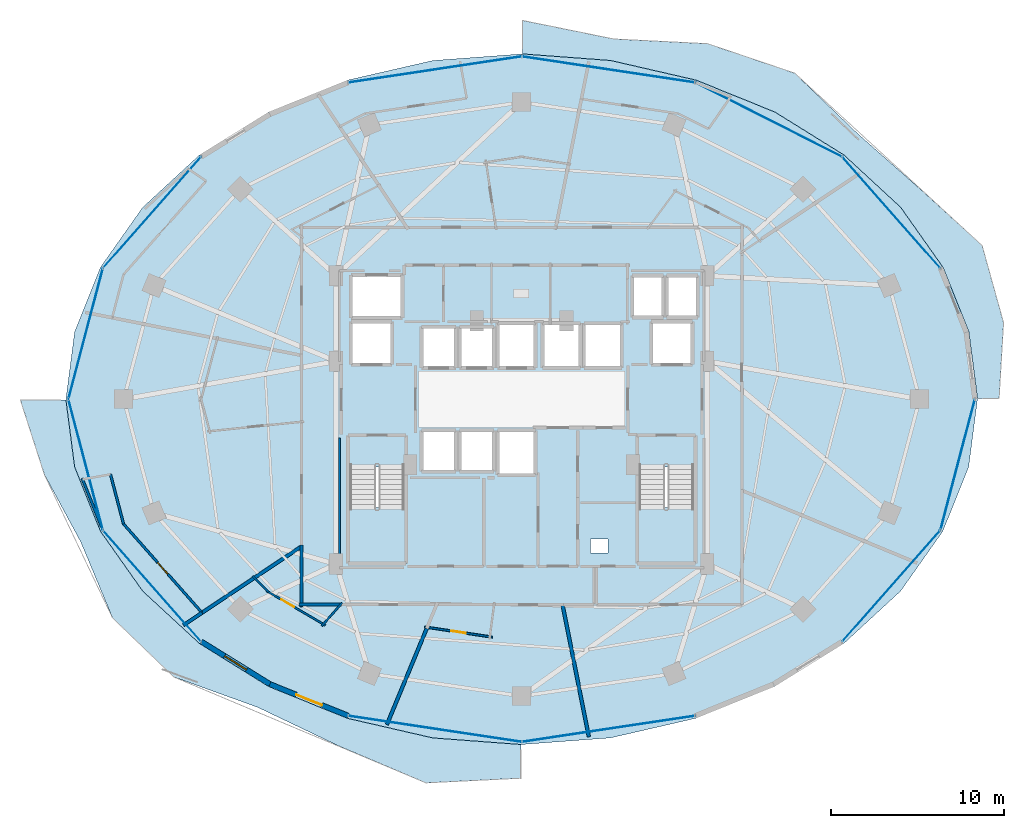
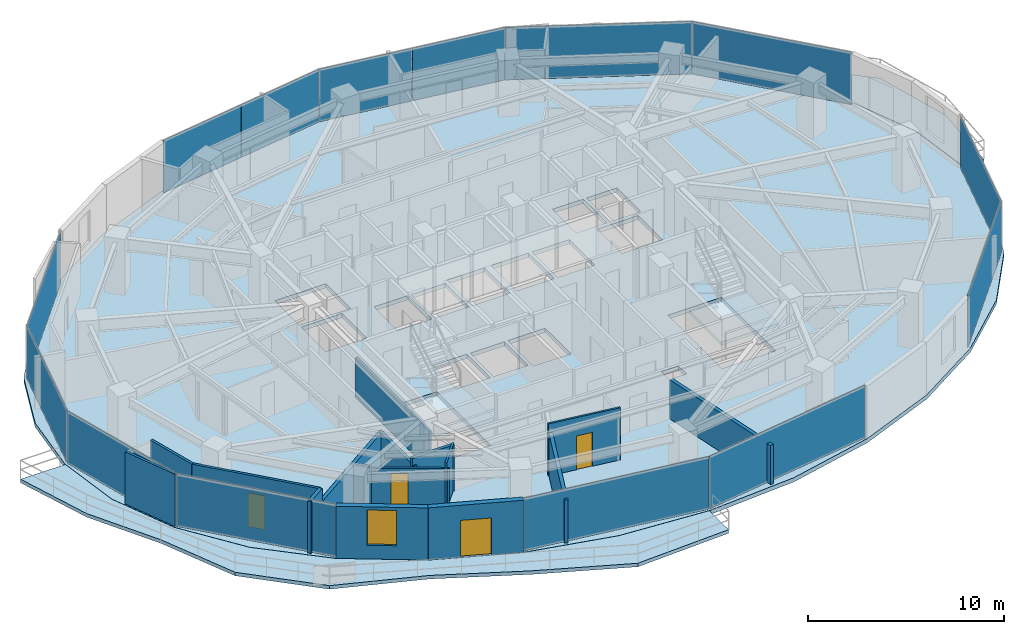
# One storey, part 22 of 30: 16 walls, 14 plates, 5 slabs, 4 doors, 1 window, 5 openings, 6 elements without a shape of their own.
"""IFC4 building model written with IfcOpenShell, lengths in metres."""

from ifc_helpers import new_model, si_unit, direction, frame, frame_2d, origin, origin_2d, place, context, subcontext, project, spatial, polyline, rectangle, outline, extrude, material, layer, layer_set, type_object, element, fill, aggregate, save


model = new_model("IFC4")

# Units and contexts
model_context = context("Model", 3, precision=1e-05, world=origin(), true_north=direction((0.0, 1.0)))
body_context = subcontext(model_context, "Body", "Model", "MODEL_VIEW")
ifc_project = project(units=[si_unit("LENGTHUNIT", "METRE"), si_unit("AREAUNIT", "SQUARE_METRE"), si_unit("VOLUMEUNIT", "CUBIC_METRE"), si_unit("PLANEANGLEUNIT", "RADIAN"), si_unit("MASSUNIT", "GRAM", prefix="KILO")], contexts=[model_context])

# Site, building, storey
site_placement = place(None, origin())
site = spatial("IfcSite", under=ifc_project, at=site_placement, CompositionType="ELEMENT")
building_placement = place(site_placement, origin())
building = spatial("IfcBuilding", under=site, at=building_placement, Name="Vorneva Point Tower", CompositionType="ELEMENT")
storey_placement = place(building_placement, frame((0.0, 0.0, 78.800048828125)))
storey = spatial("IfcBuildingStorey", under=building, at=storey_placement, Name="L20", CompositionType="ELEMENT", Elevation=78.800048828125)

# Curtain wall, plates
ifc_material_1 = material(Name="Pale anodised aluminium", Category="aluminium")
curtain_wall_type = type_object("IfcCurtainWallType", Name="CW-HTL-SYS", PredefinedType="NOTDEFINED", material=ifc_material_1)
curtain_wall_1_placement = place(storey_placement, origin())
curtain_wall_1 = element("IfcCurtainWall", 1, at=curtain_wall_1_placement, inside=storey, type_object=curtain_wall_type, Name="L20 Unitised Curtain Wall CW-L20-R01", PredefinedType="NOTDEFINED")
ifc_material_2 = material(Name="Double low-e laminated glass IGU", Category="glass")
ifc_layer_1 = layer(ifc_material_2, 0.035888671875)
ifc_layer_set_1 = layer_set([ifc_layer_1], Name="Double low-e laminated glass IGU")
plate_type = type_object("IfcPlateType", Name="CW-PNL-VIS", PredefinedType="CURTAIN_PANEL", material=ifc_layer_set_1)
plate_1_placement = place(storey_placement, frame((59.40673828125, 36.816162109375, -0.02001953125), z_axis=(0.0, 0.0, 1.0), x_axis=(-0.662149334693, 0.749371909379, 0.0)))
plate_1 = element("IfcPlate", 2, at=plate_1_placement, type_object=plate_type, Name="CW-L20-R01 Glazed Panel 01", PredefinedType="CURTAIN_PANEL", context=body_context, shape_type="SweptSolid", body=[
    extrude(rectangle(XDim=8.543701171875, YDim=0.035888671875, at=origin_2d()), origin(), (0.0, 0.0, 1.0), 3.280029296875),
])
plate_2_placement = place(storey_placement, frame((52.303466796875, 42.1875, -0.02001953125), z_axis=(0.0, 0.0, 1.0), x_axis=(-0.892538597772, 0.450971009585, 0.0)))
plate_2 = element("IfcPlate", 3, at=plate_2_placement, type_object=plate_type, Name="CW-L20-R01 Glazed Panel 02", PredefinedType="CURTAIN_PANEL", context=body_context, shape_type="SweptSolid", body=[
    extrude(rectangle(XDim=9.491455078125, YDim=0.035888671875, at=origin_2d()), origin(), (0.0, 0.0, 1.0), 3.280029296875),
])
plate_3_placement = place(storey_placement, frame((45.5341796875, 44.716796875, -0.02001953125), z_axis=(0.0, 0.0, 1.0), x_axis=(-0.988876117041, 0.148741470836, 0.0)))
plate_3 = element("IfcPlate", 4, at=plate_3_placement, type_object=plate_type, Name="CW-L20-R01 Glazed Panel 03A", PredefinedType="CURTAIN_PANEL", context=body_context, shape_type="SweptSolid", body=[
    extrude(rectangle(XDim=5.029296875, YDim=0.035888671875, at=origin_2d()), origin(), (0.0, 0.0, 1.0), 3.280029296875),
])
plate_4_placement = place(storey_placement, frame((40.511474609375, 45.472412109375, -0.02001953125), z_axis=(0.0, 0.0, 1.0), x_axis=(-0.988876117041, 0.148741470836, 0.0)))
plate_4 = element("IfcPlate", 5, at=plate_4_placement, type_object=plate_type, Name="CW-L20-R01 Glazed Panel 03B", PredefinedType="CURTAIN_PANEL", context=body_context, shape_type="SweptSolid", body=[
    extrude(rectangle(XDim=5.029296875, YDim=0.035888671875, at=origin_2d()), origin(), (0.0, 0.0, 1.0), 3.280029296875),
])
plate_5_placement = place(storey_placement, frame((35.488525390625, 45.472412109375, -0.02001953125), z_axis=(0.0, 0.0, 1.0), x_axis=(-0.988876117041, -0.148741470836, 0.0)))
plate_5 = element("IfcPlate", 6, at=plate_5_placement, type_object=plate_type, Name="CW-L20-R01 Glazed Panel 04A", PredefinedType="CURTAIN_PANEL", context=body_context, shape_type="SweptSolid", body=[
    extrude(rectangle(XDim=5.029296875, YDim=0.035888671875, at=origin_2d()), origin(), (0.0, 0.0, 1.0), 3.280029296875),
])
plate_6_placement = place(storey_placement, frame((30.4658203125, 44.716796875, -0.02001953125), z_axis=(0.0, 0.0, 1.0), x_axis=(-0.988876117041, -0.148741470836, 0.0)))
plate_6 = element("IfcPlate", 7, at=plate_6_placement, type_object=plate_type, Name="CW-L20-R01 Glazed Panel 04B", PredefinedType="CURTAIN_PANEL", context=body_context, shape_type="SweptSolid", body=[
    extrude(rectangle(XDim=5.029296875, YDim=0.035888671875, at=origin_2d()), origin(), (0.0, 0.0, 1.0), 3.280029296875),
])
aggregate(curtain_wall_1, [plate_1, plate_2, plate_3, plate_4, plate_5, plate_6])

curtain_wall_2_placement = place(storey_placement, origin())
curtain_wall_2 = element("IfcCurtainWall", 8, at=curtain_wall_2_placement, inside=storey, type_object=curtain_wall_type, Name="L20 Unitised Curtain Wall CW-L20-R02", PredefinedType="NOTDEFINED")
plate_7_placement = place(storey_placement, frame((16.59326171875, 36.816162109375, -0.02001953125), z_axis=(0.0, 0.0, 1.0), x_axis=(-0.662149334693, -0.749371909379, 0.0)))
plate_7 = element("IfcPlate", 9, at=plate_7_placement, type_object=plate_type, Name="CW-L20-R02 Glazed Panel 01", PredefinedType="CURTAIN_PANEL", context=body_context, shape_type="SweptSolid", body=[
    extrude(rectangle(XDim=8.543701171875, YDim=0.035888671875, at=origin_2d()), origin(), (0.0, 0.0, 1.0), 3.280029296875),
])
plate_8_placement = place(storey_placement, frame((12.7490234375, 29.798095703125, -0.02001953125), z_axis=(0.0, 0.0, 1.0), x_axis=(-0.254399404995, -0.967099241411, 0.0)))
plate_8 = element("IfcPlate", 10, at=plate_8_placement, type_object=plate_type, Name="CW-L20-R02 Glazed Panel 02", PredefinedType="CURTAIN_PANEL", context=body_context, shape_type="SweptSolid", body=[
    extrude(rectangle(XDim=7.8046875, YDim=0.035888671875, at=origin_2d()), origin(), (0.0, 0.0, 1.0), 3.280029296875),
])
plate_9_placement = place(storey_placement, frame((12.7490234375, 22.201904296875, -0.02001953125), z_axis=(0.0, 0.0, 1.0), x_axis=(0.254399404995, -0.967099241411, 0.0)))
plate_9 = element("IfcPlate", 11, at=plate_9_placement, type_object=plate_type, Name="CW-L20-R02 Glazed Panel 03", PredefinedType="CURTAIN_PANEL", context=body_context, shape_type="SweptSolid", body=[
    extrude(rectangle(XDim=7.8046875, YDim=0.035888671875, at=origin_2d()), origin(), (0.0, 0.0, 1.0), 3.280029296875),
])
plate_10_placement = place(storey_placement, frame((16.59326171875, 15.183837890625, -0.02001953125), z_axis=(0.0, 0.0, 1.0), x_axis=(0.662149334693, -0.749371909379, 0.0)))
plate_10 = element("IfcPlate", 12, at=plate_10_placement, type_object=plate_type, Name="CW-L20-R02 Glazed Panel 04", PredefinedType="CURTAIN_PANEL", context=body_context, shape_type="SweptSolid", body=[
    extrude(rectangle(XDim=8.543701171875, YDim=0.035888671875, at=origin_2d()), origin(), (0.0, 0.0, 1.0), 3.280029296875),
])
aggregate(curtain_wall_2, [plate_7, plate_8, plate_9, plate_10])

curtain_wall_3_placement = place(storey_placement, origin())
curtain_wall_3 = element("IfcCurtainWall", 13, at=curtain_wall_3_placement, inside=storey, type_object=curtain_wall_type, Name="L20 Unitised Curtain Wall CW-L20-R03", PredefinedType="NOTDEFINED")
plate_11_placement = place(storey_placement, frame((32.977294921875, 6.905517578125, -0.02001953125), z_axis=(0.0, 0.0, 1.0), x_axis=(0.988876117041, -0.148741470836, 0.0)))
plate_11 = element("IfcPlate", 14, at=plate_11_placement, type_object=plate_type, Name="CW-L20-R03 Glazed Panel 01", PredefinedType="CURTAIN_PANEL", context=body_context, shape_type="SweptSolid", body=[
    extrude(rectangle(XDim=10.1083984375, YDim=0.035888671875, at=origin_2d()), origin(), (0.0, 0.0, 1.0), 3.280029296875),
])
plate_12_placement = place(storey_placement, frame((43.022705078125, 6.905517578125, -0.02001953125), z_axis=(0.0, 0.0, 1.0), x_axis=(0.988876117041, 0.148741470836, 0.0)))
plate_12 = element("IfcPlate", 15, at=plate_12_placement, type_object=plate_type, Name="CW-L20-R03 Glazed Panel 02", PredefinedType="CURTAIN_PANEL", context=body_context, shape_type="SweptSolid", body=[
    extrude(rectangle(XDim=10.1083984375, YDim=0.035888671875, at=origin_2d()), origin(), (0.0, 0.0, 1.0), 3.280029296875),
])
aggregate(curtain_wall_3, [plate_11, plate_12])

curtain_wall_4_placement = place(storey_placement, origin())
curtain_wall_4 = element("IfcCurtainWall", 16, at=curtain_wall_4_placement, inside=storey, type_object=curtain_wall_type, Name="L20 Unitised Curtain Wall CW-L20-R04", PredefinedType="NOTDEFINED")
plate_13_placement = place(storey_placement, frame((59.40673828125, 15.183837890625, -0.02001953125), z_axis=(0.0, 0.0, 1.0), x_axis=(0.662149334693, 0.749371909379, 0.0)))
plate_13 = element("IfcPlate", 17, at=plate_13_placement, type_object=plate_type, Name="CW-L20-R04 Glazed Panel 01", PredefinedType="CURTAIN_PANEL", context=body_context, shape_type="SweptSolid", body=[
    extrude(rectangle(XDim=8.543701171875, YDim=0.035888671875, at=origin_2d()), origin(), (0.0, 0.0, 1.0), 3.280029296875),
])
plate_14_placement = place(storey_placement, frame((63.2509765625, 22.201904296875, -0.02001953125), z_axis=(0.0, 0.0, 1.0), x_axis=(0.254399404995, 0.967099241411, 0.0)))
plate_14 = element("IfcPlate", 18, at=plate_14_placement, type_object=plate_type, Name="CW-L20-R04 Glazed Panel 02", PredefinedType="CURTAIN_PANEL", context=body_context, shape_type="SweptSolid", body=[
    extrude(rectangle(XDim=7.8046875, YDim=0.035888671875, at=origin_2d()), origin(), (0.0, 0.0, 1.0), 3.280029296875),
])
aggregate(curtain_wall_4, [plate_13, plate_14])

# Slabs
ifc_material_3 = material(Name="Concrete B50 (C40/50)", Category="concrete")
ifc_layer_2 = layer(ifc_material_3, 0.219970703125)
ifc_layer_set_2 = layer_set([ifc_layer_2], Name="Concrete B50 (C40/50)")
slab_type_1 = type_object("IfcSlabType", Name="SLB-BAL-220", PredefinedType="FLOOR", material=ifc_layer_set_2)
slab_1_placement = place(storey_placement, frame((0.0, 0.0, -0.219970703125)))
element("IfcSlab", 19, at=slab_1_placement, inside=storey, type_object=slab_type_1, Name="L20 Cantilevered Wave Balcony NE", PredefinedType="FLOOR", context=body_context, shape_type="SweptSolid", body=[
    extrude(outline(polyline([(38.050048828125, 47.939697265625), (38.050048828125, 46.000244140625), (43.150634765625, 45.61962890625), (43.15087890625, 45.61962890625), (43.1513671875, 45.61962890625), (48.103759765625, 44.4814453125), (48.10400390625, 44.4814453125), (48.104248046875, 44.481201171875), (52.668701171875, 42.633056640625), (52.6689453125, 42.633056640625), (52.669189453125, 42.6328125), (56.669677734375, 40.1455078125), (56.669921875, 40.145263671875), (56.67041015625, 40.14501953125), (59.95361328125, 37.1142578125), (59.953857421875, 37.114013671875), (59.9541015625, 37.11376953125), (62.393798828125, 33.656005859375), (62.393798828125, 33.655517578125), (62.39404296875, 33.6552734375), (63.896484375, 29.9033203125), (63.896484375, 29.903076171875), (63.896484375, 29.902587890625), (63.896728515625, 29.90234375), (64.3974609375, 26.050048828125), (65.65283203125, 26.050048828125), (65.910888671875, 30.431640625), (64.668701171875, 34.8994140625), (61.12158203125, 38.14404296875), (57.546142578125, 41.302001953125), (53.810546875, 44.888427734375), (48.766845703125, 46.59375), (43.338623046875, 46.864990234375), (38.050048828125, 47.939697265625)])), origin(), (0.0, 0.0, 1.0), 0.219970703125),
])
slab_2_placement = place(storey_placement, frame((0.0, 0.0, -0.219970703125)))
element("IfcSlab", 20, at=slab_2_placement, inside=storey, type_object=slab_type_1, Name="L20 Cantilevered Wave Balcony SW", PredefinedType="FLOOR", context=body_context, shape_type="SweptSolid", body=[
    extrude(outline(polyline([(37.949951171875, 4.047607421875), (37.949951171875, 5.999755859375), (32.849365234375, 6.38037109375), (32.84912109375, 6.38037109375), (32.8486328125, 6.38037109375), (27.896240234375, 7.5185546875), (27.89599609375, 7.5185546875), (27.895751953125, 7.518798828125), (23.331298828125, 9.366943359375), (23.3310546875, 9.366943359375), (23.330810546875, 9.3671875), (19.330322265625, 11.8544921875), (19.330078125, 11.854736328125), (19.32958984375, 11.85498046875), (16.04638671875, 14.8857421875), (16.046142578125, 14.885986328125), (16.0458984375, 14.88623046875), (13.606201171875, 18.343994140625), (13.606201171875, 18.344482421875), (13.60595703125, 18.3447265625), (12.103515625, 22.0966796875), (12.103515625, 22.096923828125), (12.103515625, 22.097412109375), (12.103271484375, 22.09765625), (11.6025390625, 25.949951171875), (8.966064453125, 25.949951171875), (10.353271484375, 21.6376953125), (12.466064453125, 17.72119140625), (14.295166015625, 13.341552734375), (17.85595703125, 9.908935546875), (22.715087890625, 8.150146484375), (27.3935546875, 5.91748046875), (32.456787109375, 3.777099609375), (37.949951171875, 4.047607421875)])), origin(), (0.0, 0.0, 1.0), 0.219970703125),
])

# Stair, slab
stair_type = type_object("IfcStairType", Name="ST-DOG-1500", PredefinedType="HALF_TURN_STAIR", material=ifc_material_3)
stair_1_placement = place(storey_placement, origin())
stair_1 = element("IfcStair", 21, at=stair_1_placement, inside=storey, type_object=stair_type, Name="L20 ST1", PredefinedType="HALF_TURN_STAIR")
ifc_layer_3 = layer(ifc_material_3, 0.199951171875)
ifc_layer_set_3 = layer_set([ifc_layer_3], Name="Concrete B50 (C40/50)")
slab_type_2 = type_object("IfcSlabType", Name="SLB-LND-200", PredefinedType="LANDING", material=ifc_layer_set_3)
slab_3_placement = place(storey_placement, frame((0.0, 0.0, 1.550048828125)))
slab_3 = element("IfcSlab", 22, at=slab_3_placement, type_object=slab_type_2, Name="ST1 landing 1", PredefinedType="LANDING", context=body_context, shape_type="SweptSolid", body=[
    extrude(outline(polyline([(27.929931640625, 16.47998046875), (31.320068359375, 16.47998046875), (31.320068359375, 19.72998046875), (27.929931640625, 19.72998046875), (27.929931640625, 16.47998046875)])), origin(), (0.0, 0.0, 1.0), 0.199951171875),
])
aggregate(stair_1, [slab_3])

stair_2_placement = place(storey_placement, origin())
stair_2 = element("IfcStair", 23, at=stair_2_placement, inside=storey, type_object=stair_type, Name="L20 ST2", PredefinedType="HALF_TURN_STAIR")
slab_4_placement = place(storey_placement, frame((0.0, 0.0, 1.550048828125)))
slab_4 = element("IfcSlab", 24, at=slab_4_placement, type_object=slab_type_2, Name="ST2 landing 1", PredefinedType="LANDING", context=body_context, shape_type="SweptSolid", body=[
    extrude(outline(polyline([(44.679931640625, 16.47998046875), (48.070068359375, 16.47998046875), (48.070068359375, 19.72998046875), (44.679931640625, 19.72998046875), (44.679931640625, 16.47998046875)])), origin(), (0.0, 0.0, 1.0), 0.199951171875),
])
aggregate(stair_2, [slab_4])

# Slab
ifc_layer_4 = layer(ifc_material_3, 0.260009765625)
ifc_layer_set_4 = layer_set([ifc_layer_4], Name="Concrete B50 (C40/50)")
slab_type_3 = type_object("IfcSlabType", Name="SLB-TYP-260", PredefinedType="FLOOR", material=ifc_layer_set_4)
slab_5_placement = place(storey_placement, frame((0.0, 0.0, -0.260009765625)))
element("IfcSlab", 25, at=slab_5_placement, inside=storey, type_object=slab_type_3, Name="L20 Structural Floor Plate", PredefinedType="FLOOR", context=body_context, shape_type="SweptSolid", body=[
    extrude(outline(polyline([(64.39990234375, 26.0), (63.892578125, 29.90185546875), (62.390380859375, 33.65380859375), (59.95068359375, 37.111328125), (56.66748046875, 40.14208984375), (52.6669921875, 42.62939453125), (48.102783203125, 44.4775390625), (43.150390625, 45.61572265625), (38.0, 46.0), (32.849609375, 45.61572265625), (27.897216796875, 44.4775390625), (23.3330078125, 42.62939453125), (19.33251953125, 40.14208984375), (16.04931640625, 37.111328125), (13.609619140625, 33.65380859375), (12.107421875, 29.90185546875), (11.60009765625, 26.0), (12.107421875, 22.09814453125), (13.609619140625, 18.34619140625), (16.04931640625, 14.888671875), (19.33251953125, 11.85791015625), (23.3330078125, 9.37060546875), (27.897216796875, 7.5224609375), (32.849609375, 6.38427734375), (38.0, 6.0), (43.150390625, 6.38427734375), (48.102783203125, 7.5224609375), (52.6669921875, 9.37060546875), (56.66748046875, 11.85791015625), (59.95068359375, 14.888671875), (62.390380859375, 18.34619140625), (63.892578125, 22.09814453125), (64.39990234375, 26.0)]), holes=[polyline([(32.199951171875, 27.800048828125), (34.199951171875, 27.800048828125), (34.199951171875, 30.199951171875), (32.199951171875, 30.199951171875), (32.199951171875, 27.800048828125)]), polyline([(34.39990234375, 27.800048828125), (36.39990234375, 27.800048828125), (36.39990234375, 30.199951171875), (34.39990234375, 30.199951171875), (34.39990234375, 27.800048828125)]), polyline([(36.60009765625, 27.800048828125), (38.800048828125, 27.800048828125), (38.800048828125, 30.39990234375), (36.60009765625, 30.39990234375), (36.60009765625, 27.800048828125)]), polyline([(32.199951171875, 21.800048828125), (34.199951171875, 21.800048828125), (34.199951171875, 24.199951171875), (32.199951171875, 24.199951171875), (32.199951171875, 21.800048828125)]), polyline([(34.39990234375, 21.800048828125), (36.39990234375, 21.800048828125), (36.39990234375, 24.199951171875), (34.39990234375, 24.199951171875), (34.39990234375, 21.800048828125)]), polyline([(36.60009765625, 21.60009765625), (38.800048828125, 21.60009765625), (38.800048828125, 24.199951171875), (36.60009765625, 24.199951171875), (36.60009765625, 21.60009765625)]), polyline([(39.199951171875, 27.800048828125), (41.39990234375, 27.800048828125), (41.39990234375, 30.39990234375), (39.199951171875, 30.39990234375), (39.199951171875, 27.800048828125)]), polyline([(41.60009765625, 27.800048828125), (43.800048828125, 27.800048828125), (43.800048828125, 30.39990234375), (41.60009765625, 30.39990234375), (41.60009765625, 27.800048828125)]), polyline([(44.39990234375, 30.739990234375), (46.199951171875, 30.739990234375), (46.199951171875, 33.159912109375), (44.39990234375, 33.159912109375), (44.39990234375, 30.739990234375)]), polyline([(46.39990234375, 30.739990234375), (48.199951171875, 30.739990234375), (48.199951171875, 33.159912109375), (46.39990234375, 33.159912109375), (46.39990234375, 30.739990234375)]), polyline([(28.10009765625, 28.0), (30.5, 28.0), (30.5, 30.5), (28.10009765625, 30.5), (28.10009765625, 28.0)]), polyline([(45.5, 28.0), (47.89990234375, 28.0), (47.89990234375, 30.5), (45.5, 30.5), (45.5, 28.0)]), polyline([(28.10009765625, 30.699951171875), (31.10009765625, 30.699951171875), (31.10009765625, 33.199951171875), (28.10009765625, 33.199951171875), (28.10009765625, 30.699951171875)]), polyline([(28.050048828125, 16.60009765625), (31.199951171875, 16.60009765625), (31.199951171875, 22.080078125), (28.050048828125, 22.080078125), (28.050048828125, 16.60009765625)]), polyline([(44.800048828125, 16.60009765625), (47.949951171875, 16.60009765625), (47.949951171875, 22.080078125), (44.800048828125, 22.080078125), (44.800048828125, 16.60009765625)]), polyline([(42.0, 17.10009765625), (43.0, 17.10009765625), (43.0, 17.89990234375), (42.0, 17.89990234375), (42.0, 17.10009765625)])]), origin(), (0.0, 0.0, 1.0), 0.260009765625),
])

# Wall, opening, window
ifc_material_4 = material(Name="Precast concrete B50 (C40/50)", Category="concrete")
ifc_layer_5 = layer(ifc_material_4, 0.300048828125)
ifc_layer_set_5 = layer_set([ifc_layer_5], Name="Precast concrete B50 (C40/50)")
wall_type_1 = type_object("IfcWallType", Name="WL-EXT-300", PredefinedType="STANDARD", material=ifc_layer_set_5)
wall_1_placement = place(storey_placement, frame((19.4384765625, 11.9638671875, 0.0), z_axis=(0.0, 0.0, 1.0), x_axis=(0.849684479743, -0.527291461038, 0.0)))
wall_1 = element("IfcWall", 26, at=wall_1_placement, inside=storey, type_object=wall_type_1, Name="L20 Pale-Metal Facade Spandrel Wall 11.1", PredefinedType="STANDARD", context=body_context, shape_type="SweptSolid", body=[
    extrude(rectangle(XDim=4.681396484375, YDim=0.300048828125, at=frame_2d((2.3408203125, 0.0))), origin(), (0.0, 0.0, 1.0), 3.239990234375),
])
opening_1_placement = place(wall_1_placement, frame((1.5908203125, 0.0, 0.85009765625)))
opening_1 = element("IfcOpeningElement", 27, at=opening_1_placement, cuts=wall_1, Name="Opening W-02", PredefinedType="OPENING", context=body_context, shape_type="SweptSolid", body=[
    extrude(rectangle(XDim=1.5, YDim=2.18994140625, at=frame_2d((0.75, 1.094970703125))), frame((0.0, 0.1650390625, 0.0), z_axis=(0.0, -1.0, 0.0), x_axis=(1.0, 0.0, 0.0)), (0.0, 0.0, 1.0), 0.329833984375),
])
window_type = type_object("IfcWindowType", Name="WN-HTL-1500", PartitioningType="SINGLE_PANEL", PredefinedType="WINDOW", material=ifc_material_2)
window_placement = place(opening_1_placement, origin())
window = element("IfcWindow", 28, at=window_placement, inside=storey, type_object=window_type, Name="L20 Facade Window 11", OverallHeight=2.18994140625, OverallWidth=1.5, PartitioningType="SINGLE_PANEL", PredefinedType="WINDOW", context=body_context, shape_type="SweptSolid", body=[
    extrude(rectangle(XDim=1.5, YDim=2.18994140625, at=frame_2d((0.75, 1.094970703125))), frame((0.0, 0.030029296875, 0.0), z_axis=(0.0, -1.0, 0.0), x_axis=(1.0, 0.0, 0.0)), (0.0, 0.0, 1.0), 0.06005859375),
])
fill(opening_1, window)

# Wall, opening, door
wall_2_placement = place(storey_placement, frame((23.416259765625, 9.495361328125, 0.0), z_axis=(0.0, 0.0, 1.0), x_axis=(0.927122233109, -0.374759075775, 0.0)))
wall_2 = element("IfcWall", 29, at=wall_2_placement, inside=storey, type_object=wall_type_1, Name="L20 Pale-Metal Facade Spandrel Wall 11.2", PredefinedType="STANDARD", context=body_context, shape_type="SweptSolid", body=[
    extrude(rectangle(XDim=4.89501953125, YDim=0.300048828125, at=frame_2d((2.447509765625, 0.0))), origin(), (0.0, 0.0, 1.0), 3.239990234375),
])
opening_2_placement = place(wall_2_placement, frame((1.6474609375, 0.0, 0.0)))
opening_2 = element("IfcOpeningElement", 30, at=opening_2_placement, cuts=wall_2, Name="Opening BD-01", PredefinedType="OPENING", context=body_context, shape_type="SweptSolid", body=[
    extrude(rectangle(XDim=1.60009765625, YDim=2.300048828125, at=frame_2d((0.800048828125, 1.14990234375))), frame((0.0, 0.1650390625, 0.0), z_axis=(0.0, -1.0, 0.0), x_axis=(1.0, 0.0, 0.0)), (0.0, 0.0, 1.0), 0.329833984375),
])
door_type_1 = type_object("IfcDoorType", Name="DR-BAL-1600", OperationType="SLIDING_TO_LEFT", PredefinedType="DOOR", material=ifc_material_1)
door_1_placement = place(opening_2_placement, origin())
door_1 = element("IfcDoor", 31, at=door_1_placement, inside=storey, type_object=door_type_1, Name="L20 Balcony Terrace Access Door 11", OperationType="SLIDING_TO_LEFT", OverallHeight=2.300048828125, OverallWidth=1.60009765625, PredefinedType="DOOR", context=body_context, shape_type="SweptSolid", body=[
    extrude(rectangle(XDim=1.60009765625, YDim=2.300048828125, at=frame_2d((0.800048828125, 1.14990234375))), frame((0.0, 0.02490234375, 0.0), z_axis=(0.0, -1.0, 0.0), x_axis=(1.0, 0.0, 0.0)), (0.0, 0.0, 1.0), 0.050048828125),
])
fill(opening_2, door_1)

# Wall
ifc_material_5 = material(Name="Fire-rated acoustic gypsum stud partition", Category="gypsum")
ifc_layer_6 = layer(ifc_material_5, 0.110107421875)
ifc_layer_set_6 = layer_set([ifc_layer_6], Name="Fire-rated acoustic gypsum stud partition")
wall_type_2 = type_object("IfcWallType", Name="WL-PART-110", PredefinedType="PARTITIONING", material=ifc_layer_set_6)
wall_3_placement = place(storey_placement, frame((27.6015625, 14.205078125, 0.0), z_axis=(0.0, 0.0, 1.0), x_axis=(-0.661454172329, -0.749985585134, 0.0)))
element("IfcWall", 32, at=wall_3_placement, inside=storey, type_object=wall_type_2, Name="L20 Interior Partition 085", PredefinedType="PARTITIONING", context=body_context, shape_type="SweptSolid", body=[
    extrude(rectangle(XDim=1.7841796875, YDim=0.110107421875, at=frame_2d((0.89208984375, 0.0))), origin(), (0.0, 0.0, 1.0), 2.8740234375),
])

# Wall, opening, door
wall_4_placement = place(storey_placement, frame((26.634765625, 12.9013671875, 0.0), z_axis=(0.0, 0.0, 1.0), x_axis=(-0.863173900656, 0.504906741117, 0.0)))
wall_4 = element("IfcWall", 33, at=wall_4_placement, inside=storey, type_object=wall_type_2, Name="L20 Interior Partition 086", PredefinedType="PARTITIONING", context=body_context, shape_type="SweptSolid", body=[
    extrude(rectangle(XDim=3.955810546875, YDim=0.110107421875, at=frame_2d((1.97802734375, 0.0))), origin(), (0.0, 0.0, 1.0), 2.431884765625),
])
opening_3_placement = place(wall_4_placement, frame((2.11279296875, 0.0, 0.0)))
opening_3 = element("IfcOpeningElement", 34, at=opening_3_placement, cuts=wall_4, Name="Opening ID-02", PredefinedType="OPENING", context=body_context, shape_type="SweptSolid", body=[
    extrude(rectangle(XDim=0.85009765625, YDim=2.10009765625, at=frame_2d((0.425048828125, 1.050048828125))), frame((0.0, 0.06982421875, 0.0), z_axis=(0.0, -1.0, 0.0), x_axis=(1.0, 0.0, 0.0)), (0.0, 0.0, 1.0), 0.139892578125),
])
ifc_material_6 = material(Name="Engineered oak fire-rated door leaf", Category="wood")
door_type_2 = type_object("IfcDoorType", Name="DR-BATH-850", OperationType="NOTDEFINED", PredefinedType="DOOR", material=ifc_material_6)
door_2_placement = place(opening_3_placement, origin())
door_2 = element("IfcDoor", 35, at=door_2_placement, inside=storey, type_object=door_type_2, Name="L20 Door Deluxe Guest Room L20-05 / En-Suite Bathroom L20-05", OperationType="SINGLE_SWING_LEFT", OverallHeight=2.10009765625, OverallWidth=0.85009765625, PredefinedType="DOOR", context=body_context, shape_type="SweptSolid", body=[
    extrude(rectangle(XDim=0.85009765625, YDim=2.10009765625, at=frame_2d((0.425048828125, 1.050048828125))), frame((0.0, 0.02490234375, 0.0), z_axis=(0.0, -1.0, 0.0), x_axis=(1.0, 0.0, 0.0)), (0.0, 0.0, 1.0), 0.050048828125),
])
fill(opening_3, door_2)

# Wall
wall_5_placement = place(storey_placement, frame((23.337890625, 14.831298828125, 0.0), z_axis=(0.0, 0.0, 1.0), x_axis=(-0.709817225963, 0.70438590682, 0.0)))
element("IfcWall", 36, at=wall_5_placement, inside=storey, type_object=wall_type_2, Name="L20 Interior Partition 087", PredefinedType="PARTITIONING", context=body_context, shape_type="SweptSolid", body=[
    extrude(rectangle(XDim=1.303466796875, YDim=0.110107421875, at=frame_2d((0.65185546875, 0.0))), origin(), (0.0, 0.0, 1.0), 2.431884765625),
])

# Wall, opening, door
wall_6_placement = place(storey_placement, frame((36.290283203125, 12.22119140625, 0.0), z_axis=(0.0, 0.0, 1.0), x_axis=(-0.988883185792, 0.148694468147, 0.0)))
wall_6 = element("IfcWall", 37, at=wall_6_placement, inside=storey, type_object=wall_type_2, Name="L20 Interior Partition 091", PredefinedType="PARTITIONING", context=body_context, shape_type="SweptSolid", body=[
    extrude(rectangle(XDim=3.945556640625, YDim=0.110107421875, at=frame_2d((1.97265625, 0.0))), origin(), (0.0, 0.0, 1.0), 3.239990234375),
])
opening_4_placement = place(wall_6_placement, frame((1.5478515625, 0.0, 0.0)))
opening_4 = element("IfcOpeningElement", 38, at=opening_4_placement, cuts=wall_6, Name="Opening ID-02", PredefinedType="OPENING", context=body_context, shape_type="SweptSolid", body=[
    extrude(rectangle(XDim=0.85009765625, YDim=2.10009765625, at=frame_2d((0.425048828125, 1.050048828125))), frame((0.0, 0.06982421875, 0.0), z_axis=(0.0, -1.0, 0.0), x_axis=(1.0, 0.0, 0.0)), (0.0, 0.0, 1.0), 0.139892578125),
])
door_3_placement = place(opening_4_placement, origin())
door_3 = element("IfcDoor", 39, at=door_3_placement, inside=storey, type_object=door_type_2, Name="L20 Door Executive Suite L20-06 / En-Suite Bathroom L20-06", OperationType="SINGLE_SWING_RIGHT", OverallHeight=2.10009765625, OverallWidth=0.85009765625, PredefinedType="DOOR", context=body_context, shape_type="SweptSolid", body=[
    extrude(rectangle(XDim=0.85009765625, YDim=2.10009765625, at=frame_2d((0.425048828125, 1.050048828125))), frame((0.0, 0.02490234375, 0.0), z_axis=(0.0, -1.0, 0.0), x_axis=(1.0, 0.0, 0.0)), (0.0, 0.0, 1.0), 0.050048828125),
])
fill(opening_4, door_3)

# Walls
ifc_layer_7 = layer(ifc_material_5, 0.139892578125)
ifc_layer_set_7 = layer_set([ifc_layer_7], Name="Fire-rated acoustic gypsum stud partition")
wall_type_3 = type_object("IfcWallType", Name="WL-PART-140", PredefinedType="PARTITIONING", material=ifc_layer_set_7)
wall_7_placement = place(storey_placement, frame((12.5439453125, 21.410888671875, 0.0), z_axis=(0.0, 0.0, 1.0), x_axis=(0.371612636283, -0.928387876135, 0.0)))
element("IfcWall", 40, at=wall_7_placement, inside=storey, type_object=wall_type_3, Name="L20 Interior Partition 079", PredefinedType="PARTITIONING", context=body_context, shape_type="SweptSolid", body=[
    extrude(rectangle(XDim=3.223876953125, YDim=0.139892578125, at=frame_2d((1.61181640625, 0.0))), origin(), (0.0, 0.0, 1.0), 3.239990234375),
])
wall_8_placement = place(storey_placement, frame((14.18408203125, 21.64990234375, 0.0), z_axis=(0.0, 0.0, 1.0), x_axis=(0.254347718415, -0.9671128363, 0.0)))
element("IfcWall", 41, at=wall_8_placement, inside=storey, type_object=wall_type_3, Name="L20 Interior Partition 081", PredefinedType="PARTITIONING", context=body_context, shape_type="SweptSolid", body=[
    extrude(rectangle(XDim=2.9716796875, YDim=0.139892578125, at=frame_2d((1.48583984375, 0.0))), origin(), (0.0, 0.0, 1.0), 3.239990234375),
])

# Wall, opening, door
wall_9_placement = place(storey_placement, frame((14.93994140625, 18.77587890625, 0.0), z_axis=(0.0, 0.0, 1.0), x_axis=(0.662156478246, -0.749365597233, 0.0)))
wall_9 = element("IfcWall", 42, at=wall_9_placement, inside=storey, type_object=wall_type_3, Name="L20 Interior Partition 082", PredefinedType="PARTITIONING", context=body_context, shape_type="SweptSolid", body=[
    extrude(rectangle(XDim=6.8671875, YDim=0.139892578125, at=frame_2d((3.43359375, 0.0))), origin(), (0.0, 0.0, 1.0), 3.239990234375),
])
opening_5_placement = place(wall_9_placement, frame((2.9833984375, 0.0, 0.0)))
opening_5 = element("IfcOpeningElement", 43, at=opening_5_placement, cuts=wall_9, Name="Opening ID-01", PredefinedType="OPENING", context=body_context, shape_type="SweptSolid", body=[
    extrude(rectangle(XDim=0.89990234375, YDim=2.10009765625, at=frame_2d((0.449951171875, 1.050048828125))), frame((0.0, 0.0849609375, 0.0), z_axis=(0.0, -1.0, 0.0), x_axis=(1.0, 0.0, 0.0)), (0.0, 0.0, 1.0), 0.169677734375),
])
door_type_3 = type_object("IfcDoorType", Name="DR-ROOM-900", OperationType="NOTDEFINED", PredefinedType="DOOR", material=ifc_material_6)
door_4_placement = place(opening_5_placement, origin())
door_4 = element("IfcDoor", 44, at=door_4_placement, inside=storey, type_object=door_type_3, Name="L20 Door Corner Suite L20-04 / Suite Sitting Study L20-04", OperationType="SINGLE_SWING_RIGHT", OverallHeight=2.10009765625, OverallWidth=0.89990234375, PredefinedType="DOOR", context=body_context, shape_type="SweptSolid", body=[
    extrude(rectangle(XDim=0.89990234375, YDim=2.10009765625, at=frame_2d((0.449951171875, 1.050048828125))), frame((0.0, 0.02490234375, 0.0), z_axis=(0.0, -1.0, 0.0), x_axis=(1.0, 0.0, 0.0)), (0.0, 0.0, 1.0), 0.050048828125),
])
fill(opening_5, door_4)

# Walls
wall_10_placement = place(storey_placement, frame((27.449951171875, 16.239990234375, 0.0), z_axis=(0.0, 0.0, 1.0), x_axis=(0.0, 1.0, 0.0)))
element("IfcWall", 45, at=wall_10_placement, inside=storey, type_object=wall_type_3, Name="L20 Interior Closure Partition 109", PredefinedType="PARTITIONING", context=body_context, shape_type="SweptSolid", body=[
    extrude(rectangle(XDim=7.513916015625, YDim=0.139892578125, at=frame_2d((3.7568359375, 0.0))), origin(), (0.0, 0.0, 1.0), 2.431884765625),
])
ifc_material_7 = material(Name="Autoclaved aerated concrete blockwork", Category="masonry")
ifc_layer_8 = layer(ifc_material_7, 0.179931640625)
ifc_layer_set_8 = layer_set([ifc_layer_8], Name="Autoclaved aerated concrete blockwork")
wall_type_4 = type_object("IfcWallType", Name="WL-PART-180", PredefinedType="PARTITIONING", material=ifc_layer_set_8)
wall_11_placement = place(storey_placement, frame((25.25, 17.549072265625, 0.0), z_axis=(0.0, 0.0, 1.0), x_axis=(0.0, -1.0, 0.0)))
element("IfcWall", 46, at=wall_11_placement, inside=storey, type_object=wall_type_4, Name="L20 Interior Partition 037", PredefinedType="PARTITIONING", context=body_context, shape_type="SweptSolid", body=[
    extrude(rectangle(XDim=3.589111328125, YDim=0.179931640625, at=frame_2d((1.79443359375, 0.0))), origin(), (0.0, 0.0, 1.0), 2.431884765625),
])
wall_12_placement = place(storey_placement, frame((25.110107421875, 14.10009765625, 0.0), z_axis=(0.0, 0.0, 1.0), x_axis=(1.0, 0.0, 0.0)))
element("IfcWall", 47, at=wall_12_placement, inside=storey, type_object=wall_type_4, Name="L20 Interior Partition 038", PredefinedType="PARTITIONING", context=body_context, shape_type="SweptSolid", body=[
    extrude(rectangle(XDim=2.458984375, YDim=0.179931640625, at=frame_2d((1.2294921875, 0.0))), origin(), (0.0, 0.0, 1.0), 2.8740234375),
])
ifc_layer_9 = layer(ifc_material_7, 0.199951171875)
ifc_layer_set_9 = layer_set([ifc_layer_9], Name="Autoclaved aerated concrete blockwork")
wall_type_5 = type_object("IfcWallType", Name="WL-PART-200", PredefinedType="PARTITIONING", material=ifc_layer_set_9)
wall_13_placement = place(storey_placement, frame((19.487060546875, 13.6298828125, 0.0), z_axis=(0.0, 0.0, 1.0), x_axis=(0.831442874018, 0.555610247607, 0.0)))
element("IfcWall", 48, at=wall_13_placement, inside=storey, type_object=wall_type_5, Name="L20 Interior Partition 083", PredefinedType="PARTITIONING", context=body_context, shape_type="SweptSolid", body=[
    extrude(rectangle(XDim=6.93115234375, YDim=0.199951171875, at=frame_2d((3.465576171875, 0.0))), origin(), (0.0, 0.0, 1.0), 2.431884765625),
])
wall_14_placement = place(storey_placement, frame((18.412109375, 12.912109375, 0.0), z_axis=(0.0, 0.0, 1.0), x_axis=(0.831643249848, 0.555310278118, 0.0)))
element("IfcWall", 49, at=wall_14_placement, inside=storey, type_object=wall_type_5, Name="L20 Interior Partition 084", PredefinedType="PARTITIONING", context=body_context, shape_type="SweptSolid", body=[
    extrude(rectangle(XDim=1.29248046875, YDim=0.199951171875, at=frame_2d((0.646240234375, 0.0))), origin(), (0.0, 0.0, 1.0), 3.239990234375),
])
wall_15_placement = place(storey_placement, frame((30.19189453125, 7.14892578125, 0.0), z_axis=(0.0, 0.0, 1.0), x_axis=(0.382705075352, 0.923870567395, 0.0)))
element("IfcWall", 50, at=wall_15_placement, inside=storey, type_object=wall_type_5, Name="L20 Interior Partition 088", PredefinedType="PARTITIONING", context=body_context, shape_type="SweptSolid", body=[
    extrude(rectangle(XDim=6.164306640625, YDim=0.199951171875, at=frame_2d((3.08203125, 0.0))), origin(), (0.0, 0.0, 1.0), 2.677001953125),
])
wall_16_placement = place(storey_placement, frame((41.89111328125, 6.44091796875, 0.0), z_axis=(0.0, 0.0, 1.0), x_axis=(-0.195172155482, 0.980768999166, 0.0)))
element("IfcWall", 51, at=wall_16_placement, inside=storey, type_object=wall_type_5, Name="L20 Interior Partition 092", PredefinedType="PARTITIONING", context=body_context, shape_type="SweptSolid", body=[
    extrude(rectangle(XDim=7.809326171875, YDim=0.199951171875, at=frame_2d((3.90478515625, 0.0))), origin(), (0.0, 0.0, 1.0), 2.431884765625),
])

save(model, "model.ifc")
